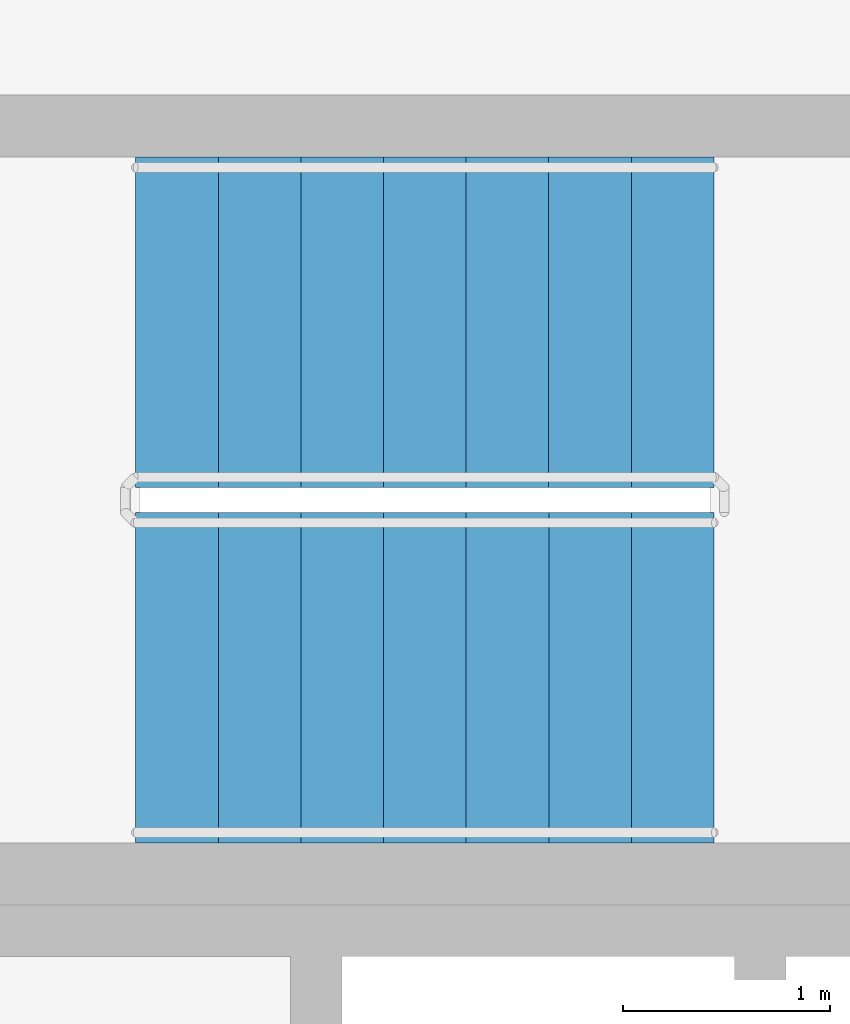
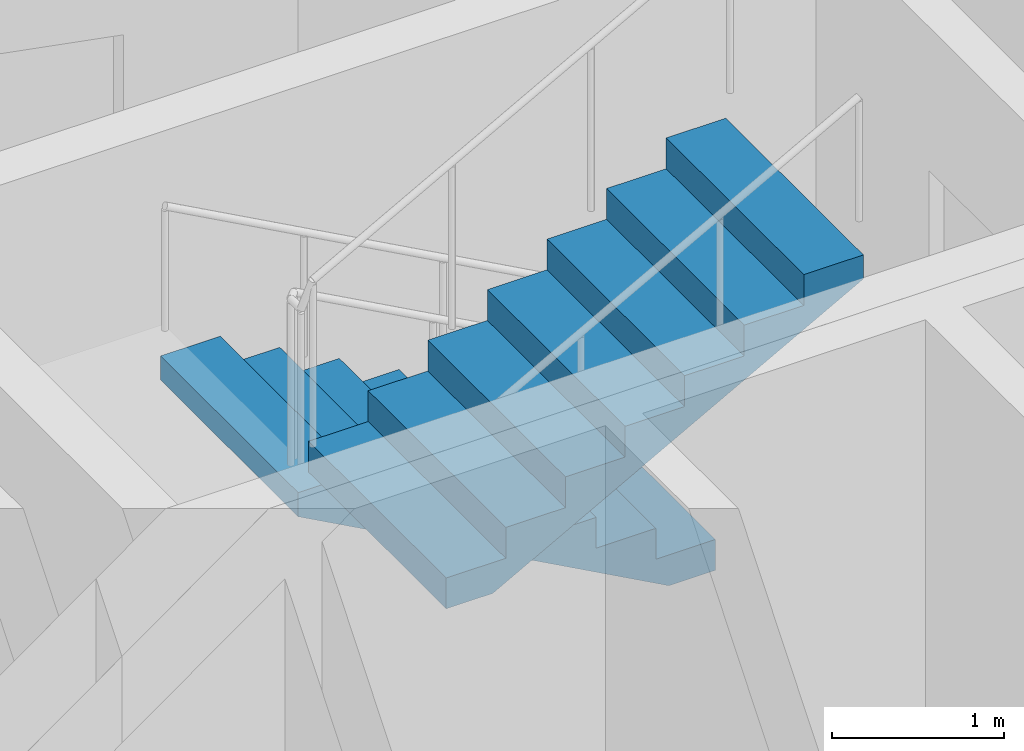
# One storey, part 20 of 21: 2 stair flights, 1 element without a shape of its own.
"""IFC4 building model written with IfcOpenShell, lengths in metres."""

from ifc_helpers import new_model, si_unit, direction, frame, origin, place, context, subcontext, project, spatial, polyline, outline, extrude, material, type_object, element, aggregate, save


model = new_model("IFC4")

# Units and contexts
model_context = context("Model", 3, precision=1e-05, world=origin(), true_north=direction((0.0, 1.0)))
body_context = subcontext(model_context, "Body", "Model", "MODEL_VIEW")
ifc_project = project(units=[si_unit("LENGTHUNIT", "METRE"), si_unit("AREAUNIT", "SQUARE_METRE"), si_unit("VOLUMEUNIT", "CUBIC_METRE"), si_unit("PLANEANGLEUNIT", "RADIAN"), si_unit("MASSUNIT", "GRAM", prefix="KILO")], contexts=[model_context])

# Site, building, storey
site_placement = place(None, origin())
site = spatial("IfcSite", under=ifc_project, at=site_placement, CompositionType="ELEMENT")
building_placement = place(site_placement, origin())
building = spatial("IfcBuilding", under=site, at=building_placement, Name="Spindle Arch Residences", CompositionType="ELEMENT")
storey_placement = place(building_placement, frame((0.0, 0.0, 38.39990234375)))
storey = spatial("IfcBuildingStorey", under=building, at=storey_placement, Name="L07", CompositionType="ELEMENT", Elevation=38.39990234375)

# Stair, stair flights
ifc_material_1 = material(Name="Concrete C50/60", Category="concrete")
stair_type = type_object("IfcStairType", Name="Exit stair 16 risers", PredefinedType="HALF_TURN_STAIR", material=ifc_material_1)
stair_placement = place(storey_placement, origin())
stair = element("IfcStair", 1, at=stair_placement, inside=storey, type_object=stair_type, Name="L07 Exit stair ST1", PredefinedType="HALF_TURN_STAIR")
ifc_material_2 = material(Name="Concrete C50/60", Category="concrete")
stair_flight_type = type_object("IfcStairFlightType", Name="Exit stair flight", PredefinedType="STRAIGHT", material=ifc_material_2)
stair_flight_1_placement = place(storey_placement, frame((5.14990234375, 7.8701171875, 0.0), z_axis=(0.0, 0.0, 1.0), x_axis=(-1.0, 0.0, 0.0)))
stair_flight_1 = element("IfcStairFlight", 2, at=stair_flight_1_placement, type_object=stair_flight_type, Name="ST1 flight 1", NumberOfRisers=8, NumberOfTreads=7, PredefinedType="STRAIGHT", RiserHeight=0.21875, TreadLength=0.4, context=body_context, shape_type="SweptSolid", body=[
    extrude(outline(polyline([(0.0, 0.0), (0.0, 0.21875), (0.39990234375, 0.21875), (0.39990234375, 0.4375), (0.800048828125, 0.4375), (0.800048828125, 0.65625), (1.199951171875, 0.65625), (1.199951171875, 0.875), (1.60009765625, 0.875), (1.60009765625, 1.09375), (2.0, 1.09375), (2.0, 1.3125), (2.39990234375, 1.3125), (2.39990234375, 1.53125), (2.800048828125, 1.53125), (2.800048828125, 1.75), (2.800048828125, 1.3603515625), (0.3125, 0.0), (0.0, 0.0)])), frame((0.0, 0.800048828125, 0.0), z_axis=(0.0, -1.0, 0.0), x_axis=(1.0, 0.0, 0.0)), (0.0, 0.0, 1.0), 1.60009765625),
])
stair_flight_2_placement = place(storey_placement, frame((2.35009765625, 6.14990234375, 1.75), z_axis=(0.0, 0.0, 1.0), x_axis=(1.0, 0.0, 0.0)))
stair_flight_2 = element("IfcStairFlight", 3, at=stair_flight_2_placement, type_object=stair_flight_type, Name="ST1 flight 2", NumberOfRisers=8, NumberOfTreads=7, PredefinedType="STRAIGHT", RiserHeight=0.21875, TreadLength=0.4, context=body_context, shape_type="SweptSolid", body=[
    extrude(outline(polyline([(0.0, 0.0), (0.0, 0.21875), (0.39990234375, 0.21875), (0.39990234375, 0.4375), (0.800048828125, 0.4375), (0.800048828125, 0.65625), (1.199951171875, 0.65625), (1.199951171875, 0.875), (1.60009765625, 0.875), (1.60009765625, 1.09375), (2.0, 1.09375), (2.0, 1.3125), (2.39990234375, 1.3125), (2.39990234375, 1.53125), (2.800048828125, 1.53125), (2.800048828125, 1.75), (2.800048828125, 1.3603515625), (0.3125, 0.0), (0.0, 0.0)])), frame((0.0, 0.800048828125, 0.0), z_axis=(0.0, -1.0, 0.0), x_axis=(1.0, 0.0, 0.0)), (0.0, 0.0, 1.0), 1.60009765625),
])
aggregate(stair, [stair_flight_1, stair_flight_2])

save(model, "model.ifc")
